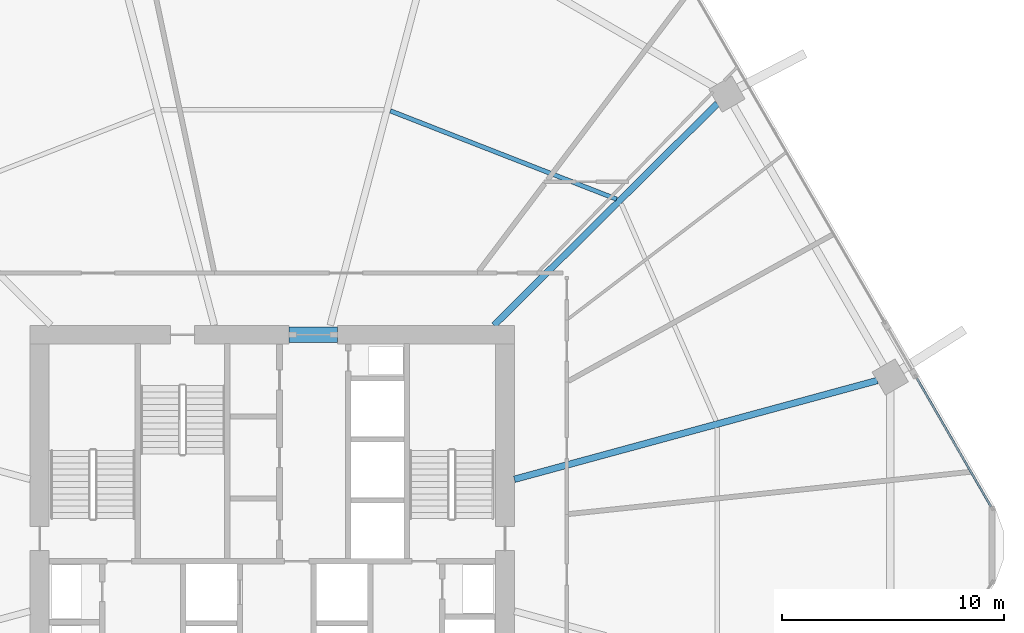
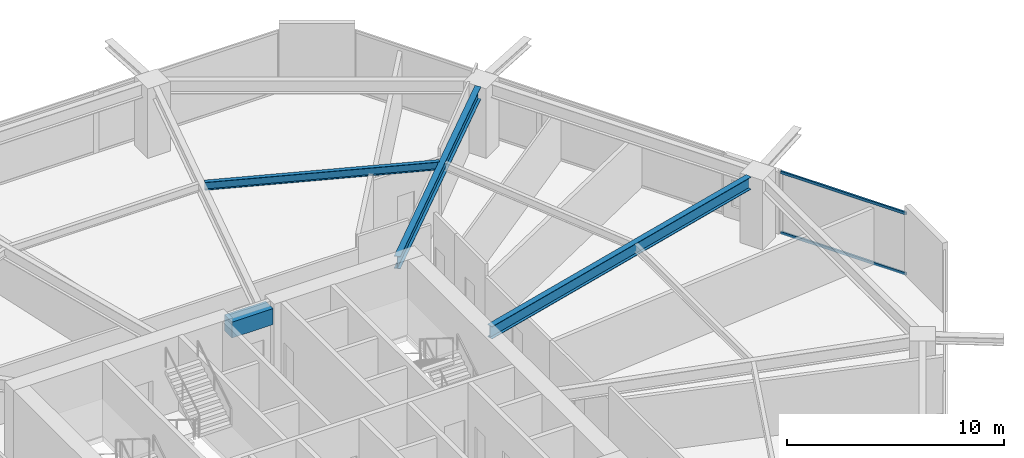
# One storey, part 16 of 25: 4 beams, 2 members, 1 element without a shape of its own.
"""IFC4 building model written with IfcOpenShell, lengths in metres."""

from ifc_helpers import new_model, si_unit, direction, frame, origin, origin_2d, place, context, subcontext, project, spatial, rectangle, hollow_rectangle, i_section, extrude, material, material_profile, profile_set, type_object, element, aggregate, save


model = new_model("IFC4")

# Units and contexts
model_context = context("Model", 3, precision=1e-05, world=origin(), true_north=direction((0.0, 1.0)))
body_context = subcontext(model_context, "Body", "Model", "MODEL_VIEW")
ifc_project = project(units=[si_unit("LENGTHUNIT", "METRE"), si_unit("AREAUNIT", "SQUARE_METRE"), si_unit("VOLUMEUNIT", "CUBIC_METRE"), si_unit("PLANEANGLEUNIT", "RADIAN"), si_unit("MASSUNIT", "GRAM", prefix="KILO")], contexts=[model_context])

# Site, building, storey
site_placement = place(None, origin())
site = spatial("IfcSite", under=ifc_project, at=site_placement, CompositionType="ELEMENT")
building_placement = place(site_placement, origin())
building = spatial("IfcBuilding", under=site, at=building_placement, Name="Zuhravey Tower", CompositionType="ELEMENT")
storey_placement = place(building_placement, frame((0.0, 0.0, 62.39990234375)))
storey = spatial("IfcBuildingStorey", under=building, at=storey_placement, Name="L15", CompositionType="ELEMENT", Elevation=62.39990234375)

# Beam
ifc_material_1 = material(Name="Concrete C60/75", Category="concrete")
ifc_material_profile_1 = material_profile(ifc_material_1, rectangle(XDim=0.699951171875, YDim=0.89990234375, at=origin_2d()), Name="RC-700x900")
ifc_profile_set_1 = profile_set([ifc_material_profile_1], Name="Concrete C60/75")
beam_type_1 = type_object("IfcBeamType", Name="Core Coupling Beam RC700x900", PredefinedType="LINTEL", material=ifc_profile_set_1)
beam_1_placement = place(storey_placement, frame((36.751953125, 41.5, 3.47021484375), z_axis=(1.0, 0.0, 0.0), x_axis=(0.0, 1.0, 0.0)))
element("IfcBeam", 1, at=beam_1_placement, inside=storey, type_object=beam_type_1, Name="L15 CB1 BM-L15-CB-N", PredefinedType="LINTEL", context=body_context, shape_type="SweptSolid", body=[
    extrude(rectangle(XDim=0.699951171875, YDim=0.89990234375, at=origin_2d()), origin(), (0.0, 0.0, 1.0), 2.196044921875),
])

# Curtain wall, members
ifc_material_2 = material(Name="Thermally broken anodised aluminium", Category="aluminium")
curtain_wall_type = type_object("IfcCurtainWallType", Name="School Low-E Unitised Curtain Wall CW1", PredefinedType="NOTDEFINED", material=ifc_material_2)
curtain_wall_placement = place(storey_placement, origin())
curtain_wall = element("IfcCurtainWall", 2, at=curtain_wall_placement, inside=storey, type_object=curtain_wall_type, Name="L15 CW1 CW-L15-F1-2", PredefinedType="NOTDEFINED")
ifc_material_3 = material(Name="Anodised aluminium", Category="aluminium")
ifc_material_profile_2 = material_profile(ifc_material_3, hollow_rectangle(XDim=0.090087890625, YDim=0.14990234375, WallThickness=0.0048828125, at=origin_2d()), Name="ALU-RHS-90x150x5")
ifc_profile_set_2 = profile_set([ifc_material_profile_2], Name="Anodised aluminium")
member_type = type_object("IfcMemberType", Name="Curtain-Wall Transom 90x150", PredefinedType="USERDEFINED", material=ifc_profile_set_2)
member_1_placement = place(storey_placement, frame((65.092041015625, 39.52783203125, 0.045166015625), z_axis=(0.500024984661, -0.866010978403, 0.0), x_axis=(0.866010978403, 0.500024984661, 0.0)))
member_1 = element("IfcMember", 3, at=member_1_placement, type_object=member_type, Name="CW1 transom 1.1", ObjectType="TRANSOM", PredefinedType="USERDEFINED", context=body_context, shape_type="SweptSolid", body=[
    extrude(hollow_rectangle(XDim=0.090087890625, YDim=0.14990234375, WallThickness=0.0048828125, at=origin_2d()), origin(), (0.0, 0.0, 1.0), 6.682861328125),
])
member_2_placement = place(storey_placement, frame((65.092041015625, 39.52783203125, 3.447021484375), z_axis=(0.500024984661, -0.866010978403, 0.0), x_axis=(0.866010978403, 0.500024984661, 0.0)))
member_2 = element("IfcMember", 4, at=member_2_placement, type_object=member_type, Name="CW1 transom 1.2", ObjectType="TRANSOM", PredefinedType="USERDEFINED", context=body_context, shape_type="SweptSolid", body=[
    extrude(hollow_rectangle(XDim=0.090087890625, YDim=0.14990234375, WallThickness=0.0048828125, at=origin_2d()), origin(), (0.0, 0.0, 1.0), 6.682861328125),
])
aggregate(curtain_wall, [member_1, member_2])

# Beams
ifc_material_4 = material(Name="Steel SM355", Category="steel")
ifc_material_profile_3 = material_profile(ifc_material_4, i_section(OverallWidth=0.300048828125, OverallDepth=0.699951171875, WebThickness=0.012939453125, FlangeThickness=0.02392578125, at=origin_2d()), Name="H-700x300x13x24")
ifc_profile_set_3 = profile_set([ifc_material_profile_3], Name="Steel SM355")
beam_type_2 = type_object("IfcBeamType", Name="Radial Primary Girder H700x300", PredefinedType="BEAM", material=ifc_profile_set_3)
beam_2_placement = place(storey_placement, frame((46.927978515625, 34.974609375, 3.570068359375), z_axis=(0.964892480455, 0.26264520015, 0.0), x_axis=(-0.26264520015, 0.964892480455, 0.0)))
element("IfcBeam", 5, at=beam_2_placement, inside=storey, type_object=beam_type_2, Name="L15 RG1 BM-L15-RAD-01", PredefinedType="BEAM", context=body_context, shape_type="SweptSolid", body=[
    extrude(i_section(OverallWidth=0.300048828125, OverallDepth=0.699951171875, WebThickness=0.012939453125, FlangeThickness=0.02392578125, at=origin_2d()), origin(), (0.0, 0.0, 1.0), 16.975341796875),
])
beam_3_placement = place(storey_placement, frame((46.007080078125, 41.927978515625, 3.570068359375), z_axis=(0.709902823282, 0.704299639, 0.0), x_axis=(-0.704299639, 0.709902823282, 0.0)))
element("IfcBeam", 6, at=beam_3_placement, inside=storey, type_object=beam_type_2, Name="L15 RG1 BM-L15-RAD-02", PredefinedType="BEAM", context=body_context, shape_type="SweptSolid", body=[
    extrude(i_section(OverallWidth=0.300048828125, OverallDepth=0.699951171875, WebThickness=0.012939453125, FlangeThickness=0.02392578125, at=origin_2d()), origin(), (0.0, 0.0, 1.0), 14.204345703125),
])
ifc_material_profile_4 = material_profile(ifc_material_4, i_section(OverallWidth=0.199951171875, OverallDepth=0.449951171875, WebThickness=0.009033203125, FlangeThickness=0.013916015625, at=origin_2d()), Name="H-450x200x9x14")
ifc_profile_set_4 = profile_set([ifc_material_profile_4], Name="Steel SM355")
beam_type_3 = type_object("IfcBeamType", Name="Secondary Floor Joist H450x200", PredefinedType="JOIST", material=ifc_profile_set_4)
beam_4_placement = place(storey_placement, frame((51.5400390625, 47.61572265625, 3.695068359375), z_axis=(-0.931516535886, 0.363698973562, 0.0), x_axis=(-0.363698973562, -0.931516535886, 0.0)))
element("IfcBeam", 7, at=beam_4_placement, inside=storey, type_object=beam_type_3, Name="L15 SJ1 BM-L15-SJ-02-1", PredefinedType="JOIST", context=body_context, shape_type="SweptSolid", body=[
    extrude(i_section(OverallWidth=0.199951171875, OverallDepth=0.449951171875, WebThickness=0.009033203125, FlangeThickness=0.013916015625, at=origin_2d()), origin(), (0.0, 0.0, 1.0), 10.963134765625),
])

save(model, "model.ifc")
